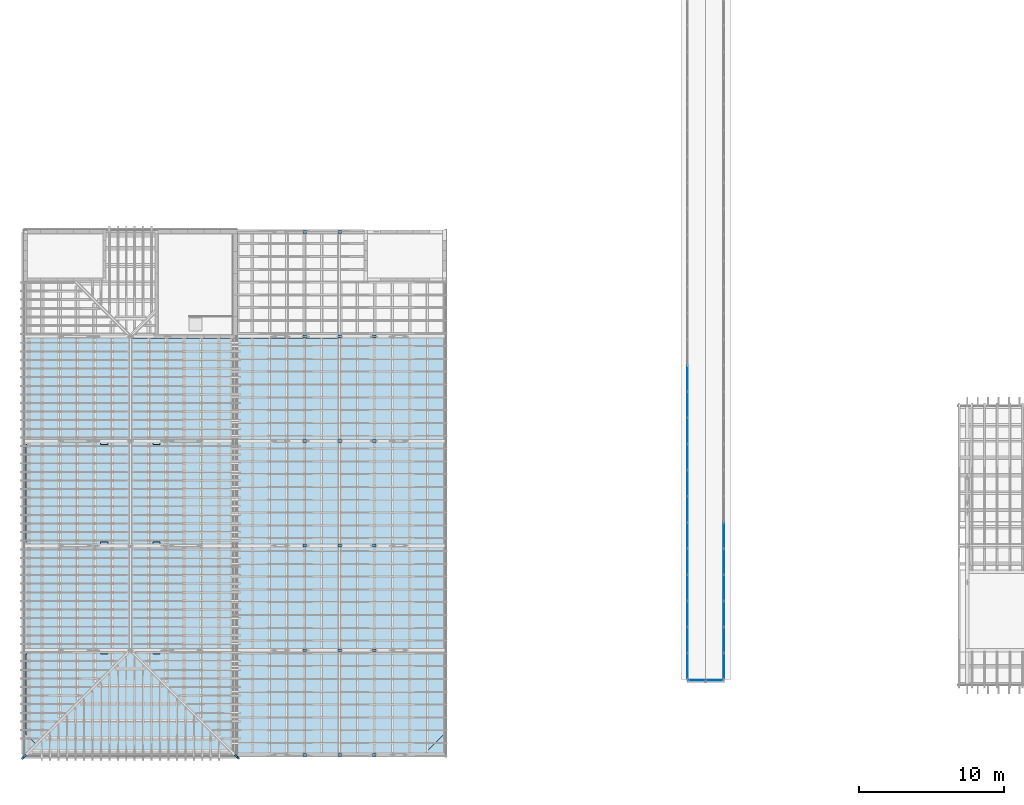
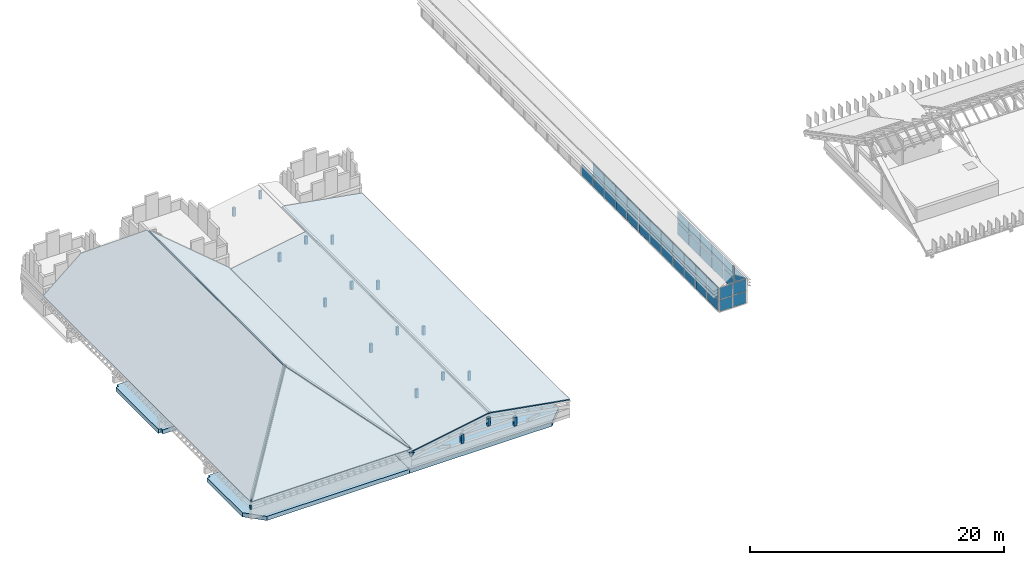
# One storey, part 13 of 28: 39 plates, 19 members, 8 slabs, 3 elements without a shape of their own.
"""IFC4 building model written with IfcOpenShell, lengths in metres."""

import ifcopenshell
import ifcopenshell.guid

model = None  # the IFC model being written
_history = None  # IfcOwnerHistory: only IFC2X3 demands one
_inside = {}  # id of a spatial element -> (the spatial element, [elements in it])
_under = {}  # id of a project, library or spatial element -> (it, [spatial elements below it])
_declared = {}  # id of a project -> (the project, [libraries it declares])
_typed = {}  # id of a type object -> (the type object, [elements of that type])
_made_of = {}  # id of a material, layer set ... -> (it, [elements and type objects made of it])


def new_model(schema):
    """Start an empty IFC model of exactly this schema.

    Asked for "IFC4X3", IfcOpenShell would pick the latest addendum, in which some entities
    have other attributes; the version numbers below select the first issue.
    IFC2X3 requires an IfcOwnerHistory on every rooted entity: one is made here for all.
    """
    global model, _history
    if schema == "IFC4X3":
        model = ifcopenshell.file(schema_version=(4, 3, 0, 0))
    else:
        model = ifcopenshell.file(schema=schema)
    _inside.clear()
    _under.clear()
    _declared.clear()
    _typed.clear()
    _made_of.clear()
    _history = None
    if model.schema == "IFC2X3":
        org = make("IfcOrganization", Name="unknown")
        user = make(
            "IfcPersonAndOrganization",
            ThePerson=make("IfcPerson", FamilyName="unknown"),
            TheOrganization=org,
        )
        app = make(
            "IfcApplication",
            ApplicationDeveloper=org,
            Version="unknown",
            ApplicationFullName="unknown",
            ApplicationIdentifier="unknown",
        )
        _history = make(
            "IfcOwnerHistory",
            OwningUser=user,
            OwningApplication=app,
            ChangeAction="ADDED",
            CreationDate=0,
        )
    return model


def make(cls, **values):
    """One entity of the class cls with the attributes given. An attribute that is None is left unset."""
    return model.create_entity(
        cls, **{name: value for name, value in values.items() if value is not None}
    )


def rooted(cls, **values):
    """An entity with a GlobalId (a new one), such as an element, a storey or a relation."""
    return make(cls, GlobalId=ifcopenshell.guid.new(), OwnerHistory=_history, **values)


def si_unit(unit_type, name, prefix=None):
    """IfcSIUnit, for example si_unit("LENGTHUNIT", "METRE", prefix="MILLI")."""
    return make("IfcSIUnit", UnitType=unit_type, Prefix=prefix, Name=name)


def assignment(units):
    """IfcUnitAssignment: the units of a project."""
    return None if units is None else make("IfcUnitAssignment", Units=units)


def point(xyz):
    """IfcCartesianPoint."""
    return None if xyz is None else make("IfcCartesianPoint", Coordinates=xyz)


def direction(xyz):
    """IfcDirection."""
    return None if xyz is None else make("IfcDirection", DirectionRatios=xyz)


def frame(location, z_axis=None, x_axis=None):
    """IfcAxis2Placement3D, a coordinate frame: its origin and axes. An axis left out is left unset."""
    return make(
        "IfcAxis2Placement3D",
        Location=point(location),
        Axis=direction(z_axis),
        RefDirection=direction(x_axis),
    )


def frame_2d(location, x_axis=None):
    """IfcAxis2Placement2D, a coordinate frame in the plane: its origin and x axis."""
    return make(
        "IfcAxis2Placement2D", Location=point(location), RefDirection=direction(x_axis)
    )


def origin():
    """The frame at (0, 0, 0) with its axes left unset."""
    return frame((0.0, 0.0, 0.0))


def origin_2d():
    """The frame at (0, 0) in the plane with its x axis left unset."""
    return frame_2d((0.0, 0.0))


def place(relative_to, where):
    """IfcLocalPlacement: puts the frame where relative to a parent placement (None: the world)."""
    return make(
        "IfcLocalPlacement", PlacementRelTo=relative_to, RelativePlacement=where
    )


def context(
    kind, dimensions, precision=None, world=None, true_north=None, identifier=None
):
    """IfcGeometricRepresentationContext, for example the 3D "Model" context."""
    return make(
        "IfcGeometricRepresentationContext",
        ContextIdentifier=identifier,
        ContextType=kind,
        CoordinateSpaceDimension=dimensions,
        Precision=precision,
        WorldCoordinateSystem=world,
        TrueNorth=true_north,
    )


def subcontext(parent, identifier, kind, view, scale=None):
    """IfcGeometricRepresentationSubContext, for example "Body" below "Model"."""
    return make(
        "IfcGeometricRepresentationSubContext",
        ContextIdentifier=identifier,
        ContextType=kind,
        ParentContext=parent,
        TargetScale=scale,
        TargetView=view,
    )


def project(units=None, contexts=None):
    """IfcProject with its units and contexts."""
    return rooted(
        "IfcProject",
        Name="project",
        RepresentationContexts=contexts,
        UnitsInContext=assignment(units),
    )


def spatial(cls, under=None, at=None, **own):
    """A site, building, storey or space (cls), placed at a placement, below another one or the project."""
    s = rooted(cls, ObjectPlacement=at, **own)
    if under is not None:
        _under.setdefault(under.id(), (under, []))[1].append(s)
    return s


def polyline(points):
    """IfcPolyline through the points."""
    return make("IfcPolyline", Points=[point(p) for p in points])


def profile(cls, at=None, kind="AREA", **sizes):
    """A parametric profile (cls). Its sizes go by their IFC names, for example OverallWidth=200.0."""
    return make(cls, ProfileType=kind, Position=at, **sizes)


def rectangle(**sizes):
    """IfcRectangleProfileDef."""
    return profile("IfcRectangleProfileDef", **sizes)


def outline(outer, holes=None, kind="AREA"):
    """IfcArbitraryClosedProfileDef: a profile drawn as a closed curve; with holes, ...WithVoids."""
    if holes is None:
        return make("IfcArbitraryClosedProfileDef", ProfileType=kind, OuterCurve=outer)
    return make(
        "IfcArbitraryProfileDefWithVoids",
        ProfileType=kind,
        OuterCurve=outer,
        InnerCurves=holes,
    )


def extrude(swept, where, along, depth):
    """IfcExtrudedAreaSolid: the profile swept, set in the frame where, extruded along a direction by depth."""
    return make(
        "IfcExtrudedAreaSolid",
        SweptArea=swept,
        Position=where,
        ExtrudedDirection=direction(along),
        Depth=depth,
    )


def shape(context_of_items, identifier, shape_type, items):
    """IfcShapeRepresentation: the items that make up one representation, for example the "Body"."""
    return make(
        "IfcShapeRepresentation",
        ContextOfItems=context_of_items,
        RepresentationIdentifier=identifier,
        RepresentationType=shape_type,
        Items=items,
    )


def material(Name=None, Category=None):
    """IfcMaterial."""
    return make("IfcMaterial", Name=Name, Category=Category)


def layer(
    of_material, thickness, ventilated=None, Name=None, Category=None, Priority=None
):
    """IfcMaterialLayer: one layer of a wall or slab, of a material (None: an air gap)."""
    return make(
        "IfcMaterialLayer",
        Material=of_material,
        LayerThickness=thickness,
        IsVentilated=ventilated,
        Name=Name,
        Category=Category,
        Priority=Priority,
    )


def layer_set(layers, Name=None):
    """IfcMaterialLayerSet."""
    return make("IfcMaterialLayerSet", MaterialLayers=layers, LayerSetName=Name)


def material_profile(
    of_material, cross_section, Name=None, Category=None, Priority=None
):
    """IfcMaterialProfile: a cross section and its material."""
    return make(
        "IfcMaterialProfile",
        Name=Name,
        Material=of_material,
        Profile=cross_section,
        Priority=Priority,
        Category=Category,
    )


def profile_set(profiles, Name=None, composite=None):
    """IfcMaterialProfileSet."""
    return make(
        "IfcMaterialProfileSet",
        Name=Name,
        MaterialProfiles=profiles,
        CompositeProfile=composite,
    )


def made_of(thing, what):
    """Note that an element or type object is made of a material, layer set ...; save() writes the relation."""
    if what is not None:
        _made_of.setdefault(what.id(), (what, []))[1].append(thing)
    return thing


def type_object(cls, material=None, **own):
    """A type object (cls), such as IfcWallType, which elements share."""
    return made_of(rooted(cls, **own), material)


def element(
    cls,
    number,
    at=None,
    inside=None,
    cuts=None,
    type_object=None,
    material=None,
    context=None,
    identifier="Body",
    shape_type=None,
    held_by="IfcProductDefinitionShape",
    body=None,
    shapes=None,
    **own,
):
    """One element of the class cls, such as IfcWall. Its Tag is "e" and its number.

    at: its placement. inside: the storey or other place that contains it. cuts: it is an
    opening in that element (IfcRelVoidsElement). A single representation is given by context,
    identifier, shape_type and body (its items); several are given by shapes. held_by: the class
    of the entity that holds the representations. save() writes the other relations.
    """
    e = rooted(cls, Tag="e%d" % number, ObjectPlacement=at, **own)
    if body is not None:
        shapes = [shape(context, identifier, shape_type, body)]
    if shapes is not None:
        e.Representation = make(held_by, Representations=shapes)
    if inside is not None:
        _inside.setdefault(inside.id(), (inside, []))[1].append(e)
    if cuts is not None:
        rooted(
            "IfcRelVoidsElement", RelatingBuildingElement=cuts, RelatedOpeningElement=e
        )
    if type_object is not None:
        _typed.setdefault(type_object.id(), (type_object, []))[1].append(e)
    return made_of(e, material)


def aggregate(whole, parts):
    """IfcRelAggregates: a whole, such as a stair, and the parts it consists of."""
    return rooted("IfcRelAggregates", RelatingObject=whole, RelatedObjects=parts)


def save(model, path):
    """Write the relations noted so far, then the file.

    IfcRelAggregates (storeys below a building ...), IfcRelContainedInSpatialStructure (elements
    in a storey), IfcRelDefinesByType, IfcRelAssociatesMaterial and IfcRelDeclares: one each for
    every whole, place, type object, material and project.
    """
    for whole, parts in _under.values():
        aggregate(whole, parts)
    for where, things in _inside.values():
        rooted(
            "IfcRelContainedInSpatialStructure",
            RelatedElements=things,
            RelatingStructure=where,
        )
    for kind, things in _typed.values():
        rooted("IfcRelDefinesByType", RelatedObjects=things, RelatingType=kind)
    for what, things in _made_of.values():
        rooted("IfcRelAssociatesMaterial", RelatedObjects=things, RelatingMaterial=what)
    for by, libraries in _declared.values():
        rooted("IfcRelDeclares", RelatingContext=by, RelatedDefinitions=libraries)
    model.write(path)


model = new_model("IFC4")

# Units and contexts
model_context = context("Model", 3, precision=1e-05, world=origin(), true_north=direction((0.0, 1.0)))
body_context = subcontext(model_context, "Body", "Model", "MODEL_VIEW")
ifc_project = project(units=[si_unit("LENGTHUNIT", "METRE"), si_unit("AREAUNIT", "SQUARE_METRE"), si_unit("VOLUMEUNIT", "CUBIC_METRE"), si_unit("PLANEANGLEUNIT", "RADIAN"), si_unit("MASSUNIT", "GRAM", prefix="KILO")], contexts=[model_context])

# Site, building, storey
site_placement = place(None, origin())
site = spatial("IfcSite", under=ifc_project, at=site_placement, CompositionType="ELEMENT")
building_placement = place(site_placement, origin())
building = spatial("IfcBuilding", under=site, at=building_placement, Name="Mazhai Court Health Centre", CompositionType="ELEMENT")
storey_placement = place(building_placement, frame((0.0, 0.0, 18.0)))
storey = spatial("IfcBuildingStorey", under=building, at=storey_placement, Name="RF", CompositionType="ELEMENT", Elevation=18.0)

# Members
ifc_material_1 = material(Name="Glulam GL24h", Category="wood")
ifc_material_profile_1 = material_profile(ifc_material_1, rectangle(XDim=0.1201171875, YDim=0.43994140625, at=origin_2d()), Name="GL24h 120x440")
ifc_profile_set_1 = profile_set([ifc_material_profile_1], Name="Glulam GL24h")
member_type_1 = type_object("IfcMemberType", Name="GL24h 120x440 hip rafter", PredefinedType="RAFTER", material=ifc_profile_set_1)
for number, where, z_axis, x_axis, name in (
    (1, (6.000244140625, 6.000244140625, 1.167724609375), (0.607674209115, 0.607674209115, 0.511335614987), (-0.707106781187, 0.707106781187, 0.0), "Hip rafter tail RV2-HR2"),
    (2, (20.7998046875, 6.000244140625, 1.167724609375), (-0.607674209115, 0.607674209115, 0.511335614987), (-0.707106781187, -0.707106781187, 0.0), "Hip rafter tail RV2-HR6"),
):
    element("IfcMember", number, at=place(storey_placement, frame(where, z_axis=z_axis, x_axis=x_axis)), inside=storey, type_object=member_type_1, Name=name, PredefinedType="RAFTER", context=body_context, shape_type="SweptSolid", body=[
        extrude(rectangle(XDim=0.1201171875, YDim=0.43994140625, at=origin_2d()), origin(), (0.0, 0.0, 1.0), 0.19775390625),
    ])
ifc_material_2 = material(Name="Glulam GL28h", Category="wood")
ifc_material_profile_2 = material_profile(ifc_material_2, rectangle(XDim=0.199951171875, YDim=0.239990234375, at=origin_2d()), Name="GL28h 200x240")
ifc_profile_set_2 = profile_set([ifc_material_profile_2], Name="Glulam GL28h")
member_type_2 = type_object("IfcMemberType", Name="GL28h 200x240 post", PredefinedType="POST", material=ifc_profile_set_2)
for number, where, z_axis, x_axis, name in (
    (3, (30.199951171875, 6.199951171875, 0.56005859375), (0.0, 0.0, 1.0), (0.0, 1.0, 0.0), "Post TV5-1-P1"),
    (4, (25.39990234375, 6.199951171875, 0.56005859375), (0.0, 0.0, 1.0), (0.0, 1.0, 0.0), "Post TV5-1-P2"),
):
    element("IfcMember", number, at=place(storey_placement, frame(where, z_axis=z_axis, x_axis=x_axis)), inside=storey, type_object=member_type_2, Name=name, PredefinedType="POST", context=body_context, shape_type="SweptSolid", body=[
        extrude(rectangle(XDim=0.199951171875, YDim=0.239990234375, at=origin_2d()), origin(), (0.0, 0.0, 1.0), 0.84619140625),
    ])
member_1_placement = place(storey_placement, frame((27.800048828125, 6.199951171875, 1.40625), z_axis=(0.0, 0.0, 1.0), x_axis=(0.0, 1.0, 0.0)))
element("IfcMember", 5, at=member_1_placement, inside=storey, type_object=member_type_2, Name="Post TV5-1-P3", PredefinedType="POST", context=body_context, shape_type="SweptSolid", body=[
    extrude(rectangle(XDim=0.199951171875, YDim=0.239990234375, at=origin_2d()), origin(), (0.0, 0.0, 1.0), 0.773193359375),
])
for number, where, z_axis, x_axis, name in (
    (6, (30.199951171875, 13.39990234375, 0.56005859375), (0.0, 0.0, 1.0), (0.0, 1.0, 0.0), "Post TV5-2-P1"),
    (7, (25.39990234375, 13.39990234375, 0.56005859375), (0.0, 0.0, 1.0), (0.0, 1.0, 0.0), "Post TV5-2-P2"),
):
    element("IfcMember", number, at=place(storey_placement, frame(where, z_axis=z_axis, x_axis=x_axis)), inside=storey, type_object=member_type_2, Name=name, PredefinedType="POST", context=body_context, shape_type="SweptSolid", body=[
        extrude(rectangle(XDim=0.199951171875, YDim=0.239990234375, at=origin_2d()), origin(), (0.0, 0.0, 1.0), 0.84619140625),
    ])
member_2_placement = place(storey_placement, frame((27.800048828125, 13.39990234375, 1.40625), z_axis=(0.0, 0.0, 1.0), x_axis=(0.0, 1.0, 0.0)))
element("IfcMember", 8, at=member_2_placement, inside=storey, type_object=member_type_2, Name="Post TV5-2-P3", PredefinedType="POST", context=body_context, shape_type="SweptSolid", body=[
    extrude(rectangle(XDim=0.199951171875, YDim=0.239990234375, at=origin_2d()), origin(), (0.0, 0.0, 1.0), 0.773193359375),
])
for number, where, z_axis, x_axis, name in (
    (9, (30.199951171875, 20.60009765625, 0.56005859375), (0.0, 0.0, 1.0), (0.0, 1.0, 0.0), "Post TV5-3-P1"),
    (10, (25.39990234375, 20.60009765625, 0.56005859375), (0.0, 0.0, 1.0), (0.0, 1.0, 0.0), "Post TV5-3-P2"),
):
    element("IfcMember", number, at=place(storey_placement, frame(where, z_axis=z_axis, x_axis=x_axis)), inside=storey, type_object=member_type_2, Name=name, PredefinedType="POST", context=body_context, shape_type="SweptSolid", body=[
        extrude(rectangle(XDim=0.199951171875, YDim=0.239990234375, at=origin_2d()), origin(), (0.0, 0.0, 1.0), 0.84619140625),
    ])
member_3_placement = place(storey_placement, frame((27.800048828125, 20.60009765625, 1.40625), z_axis=(0.0, 0.0, 1.0), x_axis=(0.0, 1.0, 0.0)))
element("IfcMember", 11, at=member_3_placement, inside=storey, type_object=member_type_2, Name="Post TV5-3-P3", PredefinedType="POST", context=body_context, shape_type="SweptSolid", body=[
    extrude(rectangle(XDim=0.199951171875, YDim=0.239990234375, at=origin_2d()), origin(), (0.0, 0.0, 1.0), 0.773193359375),
])
for number, where, z_axis, x_axis, name in (
    (12, (30.199951171875, 27.800048828125, 0.56005859375), (0.0, 0.0, 1.0), (0.0, 1.0, 0.0), "Post TV5-4-P1"),
    (13, (25.39990234375, 27.800048828125, 0.56005859375), (0.0, 0.0, 1.0), (0.0, 1.0, 0.0), "Post TV5-4-P2"),
):
    element("IfcMember", number, at=place(storey_placement, frame(where, z_axis=z_axis, x_axis=x_axis)), inside=storey, type_object=member_type_2, Name=name, PredefinedType="POST", context=body_context, shape_type="SweptSolid", body=[
        extrude(rectangle(XDim=0.199951171875, YDim=0.239990234375, at=origin_2d()), origin(), (0.0, 0.0, 1.0), 0.84619140625),
    ])
member_4_placement = place(storey_placement, frame((27.800048828125, 27.800048828125, 1.40625), z_axis=(0.0, 0.0, 1.0), x_axis=(0.0, 1.0, 0.0)))
element("IfcMember", 14, at=member_4_placement, inside=storey, type_object=member_type_2, Name="Post TV5-4-P3", PredefinedType="POST", context=body_context, shape_type="SweptSolid", body=[
    extrude(rectangle(XDim=0.199951171875, YDim=0.239990234375, at=origin_2d()), origin(), (0.0, 0.0, 1.0), 0.773193359375),
])
for number, where, z_axis, x_axis, name in (
    (15, (30.199951171875, 35.0, 0.56005859375), (0.0, 0.0, 1.0), (0.0, 1.0, 0.0), "Post TV5-5-P1"),
    (16, (25.39990234375, 35.0, 0.56005859375), (0.0, 0.0, 1.0), (0.0, 1.0, 0.0), "Post TV5-5-P2"),
):
    element("IfcMember", number, at=place(storey_placement, frame(where, z_axis=z_axis, x_axis=x_axis)), inside=storey, type_object=member_type_2, Name=name, PredefinedType="POST", context=body_context, shape_type="SweptSolid", body=[
        extrude(rectangle(XDim=0.199951171875, YDim=0.239990234375, at=origin_2d()), origin(), (0.0, 0.0, 1.0), 0.84619140625),
    ])
member_5_placement = place(storey_placement, frame((27.800048828125, 35.0, 1.40625), z_axis=(0.0, 0.0, 1.0), x_axis=(0.0, 1.0, 0.0)))
element("IfcMember", 17, at=member_5_placement, inside=storey, type_object=member_type_2, Name="Post TV5-5-P3", PredefinedType="POST", context=body_context, shape_type="SweptSolid", body=[
    extrude(rectangle(XDim=0.199951171875, YDim=0.239990234375, at=origin_2d()), origin(), (0.0, 0.0, 1.0), 0.773193359375),
])
member_6_placement = place(storey_placement, frame((25.39990234375, 42.199951171875, 0.56005859375), z_axis=(0.0, 0.0, 1.0), x_axis=(0.0, 1.0, 0.0)))
element("IfcMember", 18, at=member_6_placement, inside=storey, type_object=member_type_2, Name="Post TV5-6-P2", PredefinedType="POST", context=body_context, shape_type="SweptSolid", body=[
    extrude(rectangle(XDim=0.199951171875, YDim=0.239990234375, at=origin_2d()), origin(), (0.0, 0.0, 1.0), 0.84619140625),
])
member_7_placement = place(storey_placement, frame((27.800048828125, 42.199951171875, 1.40625), z_axis=(0.0, 0.0, 1.0), x_axis=(0.0, 1.0, 0.0)))
element("IfcMember", 19, at=member_7_placement, inside=storey, type_object=member_type_2, Name="Post TV5-6-P3", PredefinedType="POST", context=body_context, shape_type="SweptSolid", body=[
    extrude(rectangle(XDim=0.199951171875, YDim=0.239990234375, at=origin_2d()), origin(), (0.0, 0.0, 1.0), 0.773193359375),
])

# Slabs
ifc_material_3 = material(Name="CLT C24 3-ply", Category="wood")
ifc_layer_1 = layer(ifc_material_3, 0.10009765625)
ifc_layer_set_1 = layer_set([ifc_layer_1], Name="CLT C24 3-ply roof panel 100")
slab_type_1 = type_object("IfcSlabType", Name="CLT C24 3-ply roof panel 100", PredefinedType="ROOF", material=ifc_layer_set_1)
slab_1_placement = place(storey_placement, frame((20.655517578125, 6.080078125, 1.685302734375), z_axis=(0.0, -0.644967634467, 0.764209886412), x_axis=(-0.60721430236, 0.607193870505, 0.512451358306)))
element("IfcSlab", 20, at=slab_1_placement, inside=storey, type_object=slab_type_1, Name="Roof slab RV2-RS3", PredefinedType="ROOF", context=body_context, shape_type="SweptSolid", body=[
    extrude(outline(polyline([(0.0, 0.0), (11.949018997363401, 0.0), (8.8112784397935, 11.529531494014009), (0.0, 0.0)])), origin(), (0.0, 0.0, -1.0), 0.10009765625),
])
slab_2_placement = place(storey_placement, frame((20.719970703125, 6.14453125, 1.685302734375), z_axis=(0.644967634467, 0.0, 0.764209886412), x_axis=(-0.607201403678, 0.607201403678, 0.512457716053)))
element("IfcSlab", 21, at=slab_2_placement, inside=storey, type_object=slab_type_1, Name="Roof slab RV2-RS2", PredefinedType="ROOF", context=body_context, shape_type="SweptSolid", body=[
    extrude(outline(polyline([(0.0, 0.0), (11.948870753258653, 4.440892098500626e-16), (24.98858019426359, -17.062994961015516), (17.445180953337363, -22.82773523808356), (0.0, 0.0)])), origin(), (0.0, 0.0, -1.0), 0.10009765625),
])
slab_3_placement = place(storey_placement, frame((27.78271484375, 6.080078125, 2.720947265625), z_axis=(-0.173638833211, 0.0, 0.984809400646), x_axis=(-0.984809400646, 0.0, -0.173638833211)))
element("IfcSlab", 22, at=slab_3_placement, inside=storey, type_object=slab_type_1, Name="Roof slab RV5-RS1", PredefinedType="ROOF", context=body_context, shape_type="SweptSolid", body=[
    extrude(outline(polyline([(0.0, 0.0), (7.4153784175986015, 0.0), (7.4153784175986015, -28.794921875), (0.0, -28.794921875), (0.0, 0.0)])), origin(), (0.0, 0.0, -1.0), 0.10009765625),
])
slab_4_placement = place(storey_placement, frame((13.33544921875, 35.0, 7.80859375), z_axis=(-0.644967576369, 1.89437e-07, 0.764209935445), x_axis=(-1.22181e-07, -1.0, 1.4477e-07)))
element("IfcSlab", 23, at=slab_4_placement, inside=storey, type_object=slab_type_1, Name="Roof slab RV2-RS1", PredefinedType="ROOF", context=body_context, shape_type="SweptSolid", body=[
    extrude(outline(polyline([(0.0, 0.0), (21.600097656249613, -2.858749121680335e-22), (28.855468749999346, -9.49395084093321), (-3.810058593750069, -9.49395084093321), (-3.810058593752016, -4.985627002175099), (0.0, 0.0)])), origin(), (0.0, 0.0, -1.0), 0.10009765625),
])
slab_5_placement = place(storey_placement, frame((35.1201171875, 6.080078125, 1.433349609375), z_axis=(0.173638833211, 0.0, 0.984809400646), x_axis=(-0.984809400646, 0.0, 0.173638833211)))
element("IfcSlab", 24, at=slab_5_placement, inside=storey, type_object=slab_type_1, Name="Roof slab RV5-RS2", PredefinedType="ROOF", context=body_context, shape_type="SweptSolid", body=[
    extrude(outline(polyline([(0.0, 0.0), (7.4153784175986015, 0.0), (7.4153784175986015, -32.72998046875), (0.0, -32.72998046875), (0.0, 0.0)])), origin(), (0.0, 0.0, -1.0), 0.10009765625),
])

# Curtain wall, plates
ifc_material_4 = material(Name="Teak timber frame, glazed", Category="wood")
ifc_layer_2 = layer(ifc_material_4, 0.10009765625)
ifc_layer_set_2 = layer_set([ifc_layer_2], Name="CURTAIN WALL TIMBER 1800")
curtain_wall_type_1 = type_object("IfcCurtainWallType", Name="CURTAIN WALL TIMBER 1800", PredefinedType="NOTDEFINED", material=ifc_layer_set_2)
curtain_wall_1_placement = place(storey_placement, origin())
curtain_wall_1 = element("IfcCurtainWall", 25, at=curtain_wall_1_placement, inside=storey, type_object=curtain_wall_type_1, Name="CW-V1-LSW", PredefinedType="NOTDEFINED")
ifc_material_5 = material(Name="Glass IGU 28 mm", Category="glass")
ifc_layer_3 = layer(ifc_material_5, 0.028076171875)
ifc_layer_set_3 = layer_set([ifc_layer_3], Name="CW PANEL IGU 28")
plate_type = type_object("IfcPlateType", Name="CW PANEL IGU 28", PredefinedType="CURTAIN_PANEL", material=ifc_layer_set_3)
plate_1_placement = place(storey_placement, frame((51.75, 12.31494140625, 0.84375), z_axis=(0.0, 0.0, 1.0), x_axis=(0.0, 1.0, 0.0)))
plate_1 = element("IfcPlate", 26, at=plate_1_placement, type_object=plate_type, Name="CW panel 1.1", PredefinedType="CURTAIN_PANEL", context=body_context, shape_type="SweptSolid", body=[
    extrude(rectangle(XDim=1.7099609375, YDim=0.028076171875, at=origin_2d()), origin(), (0.0, 0.0, 1.0), 1.110107421875),
])
plate_2_placement = place(storey_placement, frame((51.75, 12.31494140625, 2.013916015625), z_axis=(0.0, 0.0, 1.0), x_axis=(0.0, 1.0, 0.0)))
plate_2 = element("IfcPlate", 27, at=plate_2_placement, type_object=plate_type, Name="CW panel 1.2", PredefinedType="CURTAIN_PANEL", context=body_context, shape_type="SweptSolid", body=[
    extrude(rectangle(XDim=1.7099609375, YDim=0.028076171875, at=origin_2d()), origin(), (0.0, 0.0, 1.0), 1.10498046875),
])
plate_3_placement = place(storey_placement, frame((51.75, 14.10009765625, 0.84375), z_axis=(0.0, 0.0, 1.0), x_axis=(0.0, 1.0, 0.0)))
plate_3 = element("IfcPlate", 28, at=plate_3_placement, type_object=plate_type, Name="CW panel 2.1", PredefinedType="CURTAIN_PANEL", context=body_context, shape_type="SweptSolid", body=[
    extrude(rectangle(XDim=1.739990234375, YDim=0.028076171875, at=origin_2d()), origin(), (0.0, 0.0, 1.0), 1.110107421875),
])
plate_4_placement = place(storey_placement, frame((51.75, 14.10009765625, 2.013916015625), z_axis=(0.0, 0.0, 1.0), x_axis=(0.0, 1.0, 0.0)))
plate_4 = element("IfcPlate", 29, at=plate_4_placement, type_object=plate_type, Name="CW panel 2.2", PredefinedType="CURTAIN_PANEL", context=body_context, shape_type="SweptSolid", body=[
    extrude(rectangle(XDim=1.739990234375, YDim=0.028076171875, at=origin_2d()), origin(), (0.0, 0.0, 1.0), 1.10498046875),
])
plate_5_placement = place(storey_placement, frame((51.75, 15.89990234375, 0.84375), z_axis=(0.0, 0.0, 1.0), x_axis=(0.0, 1.0, 0.0)))
plate_5 = element("IfcPlate", 30, at=plate_5_placement, type_object=plate_type, Name="CW panel 3.1", PredefinedType="CURTAIN_PANEL", context=body_context, shape_type="SweptSolid", body=[
    extrude(rectangle(XDim=1.739990234375, YDim=0.028076171875, at=origin_2d()), origin(), (0.0, 0.0, 1.0), 1.110107421875),
])
plate_6_placement = place(storey_placement, frame((51.75, 15.89990234375, 2.013916015625), z_axis=(0.0, 0.0, 1.0), x_axis=(0.0, 1.0, 0.0)))
plate_6 = element("IfcPlate", 31, at=plate_6_placement, type_object=plate_type, Name="CW panel 3.2", PredefinedType="CURTAIN_PANEL", context=body_context, shape_type="SweptSolid", body=[
    extrude(rectangle(XDim=1.739990234375, YDim=0.028076171875, at=origin_2d()), origin(), (0.0, 0.0, 1.0), 1.10498046875),
])
plate_7_placement = place(storey_placement, frame((51.75, 17.699951171875, 0.84375), z_axis=(0.0, 0.0, 1.0), x_axis=(0.0, 1.0, 0.0)))
plate_7 = element("IfcPlate", 32, at=plate_7_placement, type_object=plate_type, Name="CW panel 4.1", PredefinedType="CURTAIN_PANEL", context=body_context, shape_type="SweptSolid", body=[
    extrude(rectangle(XDim=1.739990234375, YDim=0.028076171875, at=origin_2d()), origin(), (0.0, 0.0, 1.0), 1.110107421875),
])
plate_8_placement = place(storey_placement, frame((51.75, 17.699951171875, 2.013916015625), z_axis=(0.0, 0.0, 1.0), x_axis=(0.0, 1.0, 0.0)))
plate_8 = element("IfcPlate", 33, at=plate_8_placement, type_object=plate_type, Name="CW panel 4.2", PredefinedType="CURTAIN_PANEL", context=body_context, shape_type="SweptSolid", body=[
    extrude(rectangle(XDim=1.739990234375, YDim=0.028076171875, at=origin_2d()), origin(), (0.0, 0.0, 1.0), 1.10498046875),
])
plate_9_placement = place(storey_placement, frame((51.75, 19.5, 0.84375), z_axis=(0.0, 0.0, 1.0), x_axis=(0.0, 1.0, 0.0)))
plate_9 = element("IfcPlate", 34, at=plate_9_placement, type_object=plate_type, Name="CW panel 5.1", PredefinedType="CURTAIN_PANEL", context=body_context, shape_type="SweptSolid", body=[
    extrude(rectangle(XDim=1.739990234375, YDim=0.028076171875, at=origin_2d()), origin(), (0.0, 0.0, 1.0), 1.110107421875),
])
plate_10_placement = place(storey_placement, frame((51.75, 19.5, 2.013916015625), z_axis=(0.0, 0.0, 1.0), x_axis=(0.0, 1.0, 0.0)))
plate_10 = element("IfcPlate", 35, at=plate_10_placement, type_object=plate_type, Name="CW panel 5.2", PredefinedType="CURTAIN_PANEL", context=body_context, shape_type="SweptSolid", body=[
    extrude(rectangle(XDim=1.739990234375, YDim=0.028076171875, at=origin_2d()), origin(), (0.0, 0.0, 1.0), 1.10498046875),
])
plate_11_placement = place(storey_placement, frame((51.75, 21.300048828125, 0.84375), z_axis=(0.0, 0.0, 1.0), x_axis=(0.0, 1.0, 0.0)))
plate_11 = element("IfcPlate", 36, at=plate_11_placement, type_object=plate_type, Name="CW panel 6.1", PredefinedType="CURTAIN_PANEL", context=body_context, shape_type="SweptSolid", body=[
    extrude(rectangle(XDim=1.739990234375, YDim=0.028076171875, at=origin_2d()), origin(), (0.0, 0.0, 1.0), 1.110107421875),
])
plate_12_placement = place(storey_placement, frame((51.75, 21.300048828125, 2.013916015625), z_axis=(0.0, 0.0, 1.0), x_axis=(0.0, 1.0, 0.0)))
plate_12 = element("IfcPlate", 37, at=plate_12_placement, type_object=plate_type, Name="CW panel 6.2", PredefinedType="CURTAIN_PANEL", context=body_context, shape_type="SweptSolid", body=[
    extrude(rectangle(XDim=1.739990234375, YDim=0.028076171875, at=origin_2d()), origin(), (0.0, 0.0, 1.0), 1.10498046875),
])
plate_13_placement = place(storey_placement, frame((51.75, 23.10009765625, 0.84375), z_axis=(0.0, 0.0, 1.0), x_axis=(0.0, 1.0, 0.0)))
plate_13 = element("IfcPlate", 38, at=plate_13_placement, type_object=plate_type, Name="CW panel 7.1", PredefinedType="CURTAIN_PANEL", context=body_context, shape_type="SweptSolid", body=[
    extrude(rectangle(XDim=1.739990234375, YDim=0.028076171875, at=origin_2d()), origin(), (0.0, 0.0, 1.0), 1.110107421875),
])
plate_14_placement = place(storey_placement, frame((51.75, 23.10009765625, 2.013916015625), z_axis=(0.0, 0.0, 1.0), x_axis=(0.0, 1.0, 0.0)))
plate_14 = element("IfcPlate", 39, at=plate_14_placement, type_object=plate_type, Name="CW panel 7.2", PredefinedType="CURTAIN_PANEL", context=body_context, shape_type="SweptSolid", body=[
    extrude(rectangle(XDim=1.739990234375, YDim=0.028076171875, at=origin_2d()), origin(), (0.0, 0.0, 1.0), 1.10498046875),
])
plate_15_placement = place(storey_placement, frame((51.75, 24.89990234375, 0.84375), z_axis=(0.0, 0.0, 1.0), x_axis=(0.0, 1.0, 0.0)))
plate_15 = element("IfcPlate", 40, at=plate_15_placement, type_object=plate_type, Name="CW panel 8.1", PredefinedType="CURTAIN_PANEL", context=body_context, shape_type="SweptSolid", body=[
    extrude(rectangle(XDim=1.739990234375, YDim=0.028076171875, at=origin_2d()), origin(), (0.0, 0.0, 1.0), 1.110107421875),
])
plate_16_placement = place(storey_placement, frame((51.75, 24.89990234375, 2.013916015625), z_axis=(0.0, 0.0, 1.0), x_axis=(0.0, 1.0, 0.0)))
plate_16 = element("IfcPlate", 41, at=plate_16_placement, type_object=plate_type, Name="CW panel 8.2", PredefinedType="CURTAIN_PANEL", context=body_context, shape_type="SweptSolid", body=[
    extrude(rectangle(XDim=1.739990234375, YDim=0.028076171875, at=origin_2d()), origin(), (0.0, 0.0, 1.0), 1.10498046875),
])
plate_17_placement = place(storey_placement, frame((51.75, 26.699951171875, 0.84375), z_axis=(0.0, 0.0, 1.0), x_axis=(0.0, 1.0, 0.0)))
plate_17 = element("IfcPlate", 42, at=plate_17_placement, type_object=plate_type, Name="CW panel 9.1", PredefinedType="CURTAIN_PANEL", context=body_context, shape_type="SweptSolid", body=[
    extrude(rectangle(XDim=1.739990234375, YDim=0.028076171875, at=origin_2d()), origin(), (0.0, 0.0, 1.0), 1.110107421875),
])
plate_18_placement = place(storey_placement, frame((51.75, 26.699951171875, 2.013916015625), z_axis=(0.0, 0.0, 1.0), x_axis=(0.0, 1.0, 0.0)))
plate_18 = element("IfcPlate", 43, at=plate_18_placement, type_object=plate_type, Name="CW panel 9.2", PredefinedType="CURTAIN_PANEL", context=body_context, shape_type="SweptSolid", body=[
    extrude(rectangle(XDim=1.739990234375, YDim=0.028076171875, at=origin_2d()), origin(), (0.0, 0.0, 1.0), 1.10498046875),
])
plate_19_placement = place(storey_placement, frame((51.75, 28.5, 0.84375), z_axis=(0.0, 0.0, 1.0), x_axis=(0.0, 1.0, 0.0)))
plate_19 = element("IfcPlate", 44, at=plate_19_placement, type_object=plate_type, Name="CW panel 10.1", PredefinedType="CURTAIN_PANEL", context=body_context, shape_type="SweptSolid", body=[
    extrude(rectangle(XDim=1.739990234375, YDim=0.028076171875, at=origin_2d()), origin(), (0.0, 0.0, 1.0), 1.110107421875),
])
plate_20_placement = place(storey_placement, frame((51.75, 28.5, 2.013916015625), z_axis=(0.0, 0.0, 1.0), x_axis=(0.0, 1.0, 0.0)))
plate_20 = element("IfcPlate", 45, at=plate_20_placement, type_object=plate_type, Name="CW panel 10.2", PredefinedType="CURTAIN_PANEL", context=body_context, shape_type="SweptSolid", body=[
    extrude(rectangle(XDim=1.739990234375, YDim=0.028076171875, at=origin_2d()), origin(), (0.0, 0.0, 1.0), 1.10498046875),
])
plate_21_placement = place(storey_placement, frame((51.75, 30.300048828125, 0.84375), z_axis=(0.0, 0.0, 1.0), x_axis=(0.0, 1.0, 0.0)))
plate_21 = element("IfcPlate", 46, at=plate_21_placement, type_object=plate_type, Name="CW panel 11.1", PredefinedType="CURTAIN_PANEL", context=body_context, shape_type="SweptSolid", body=[
    extrude(rectangle(XDim=1.739990234375, YDim=0.028076171875, at=origin_2d()), origin(), (0.0, 0.0, 1.0), 1.110107421875),
])
plate_22_placement = place(storey_placement, frame((51.75, 30.300048828125, 2.013916015625), z_axis=(0.0, 0.0, 1.0), x_axis=(0.0, 1.0, 0.0)))
plate_22 = element("IfcPlate", 47, at=plate_22_placement, type_object=plate_type, Name="CW panel 11.2", PredefinedType="CURTAIN_PANEL", context=body_context, shape_type="SweptSolid", body=[
    extrude(rectangle(XDim=1.739990234375, YDim=0.028076171875, at=origin_2d()), origin(), (0.0, 0.0, 1.0), 1.10498046875),
])
plate_23_placement = place(storey_placement, frame((51.75, 32.10009765625, 0.84375), z_axis=(0.0, 0.0, 1.0), x_axis=(0.0, 1.0, 0.0)))
plate_23 = element("IfcPlate", 48, at=plate_23_placement, type_object=plate_type, Name="CW panel 12.1", PredefinedType="CURTAIN_PANEL", context=body_context, shape_type="SweptSolid", body=[
    extrude(rectangle(XDim=1.739990234375, YDim=0.028076171875, at=origin_2d()), origin(), (0.0, 0.0, 1.0), 1.110107421875),
])
aggregate(curtain_wall_1, [plate_1, plate_2, plate_3, plate_4, plate_5, plate_6, plate_7, plate_8, plate_9, plate_10, plate_11, plate_12, plate_13, plate_14, plate_15, plate_16, plate_17, plate_18, plate_19, plate_20, plate_21, plate_22, plate_23])

curtain_wall_2_placement = place(storey_placement, origin())
curtain_wall_2 = element("IfcCurtainWall", 49, at=curtain_wall_2_placement, inside=storey, type_object=curtain_wall_type_1, Name="CW-V1-LSE", PredefinedType="NOTDEFINED")
plate_24_placement = place(storey_placement, frame((54.25, 21.300048828125, 0.84375), z_axis=(0.0, 0.0, 1.0), x_axis=(0.0, -1.0, 0.0)))
plate_24 = element("IfcPlate", 50, at=plate_24_placement, type_object=plate_type, Name="CW panel 21.1", PredefinedType="CURTAIN_PANEL", context=body_context, shape_type="SweptSolid", body=[
    extrude(rectangle(XDim=1.739990234375, YDim=0.028076171875, at=origin_2d()), origin(), (0.0, 0.0, 1.0), 1.110107421875),
])
plate_25_placement = place(storey_placement, frame((54.25, 21.300048828125, 2.013916015625), z_axis=(0.0, 0.0, 1.0), x_axis=(0.0, -1.0, 0.0)))
plate_25 = element("IfcPlate", 51, at=plate_25_placement, type_object=plate_type, Name="CW panel 21.2", PredefinedType="CURTAIN_PANEL", context=body_context, shape_type="SweptSolid", body=[
    extrude(rectangle(XDim=1.739990234375, YDim=0.028076171875, at=origin_2d()), origin(), (0.0, 0.0, 1.0), 1.10498046875),
])
plate_26_placement = place(storey_placement, frame((54.25, 19.5, 0.84375), z_axis=(0.0, 0.0, 1.0), x_axis=(0.0, -1.0, 0.0)))
plate_26 = element("IfcPlate", 52, at=plate_26_placement, type_object=plate_type, Name="CW panel 22.1", PredefinedType="CURTAIN_PANEL", context=body_context, shape_type="SweptSolid", body=[
    extrude(rectangle(XDim=1.739990234375, YDim=0.028076171875, at=origin_2d()), origin(), (0.0, 0.0, 1.0), 1.110107421875),
])
plate_27_placement = place(storey_placement, frame((54.25, 19.5, 2.013916015625), z_axis=(0.0, 0.0, 1.0), x_axis=(0.0, -1.0, 0.0)))
plate_27 = element("IfcPlate", 53, at=plate_27_placement, type_object=plate_type, Name="CW panel 22.2", PredefinedType="CURTAIN_PANEL", context=body_context, shape_type="SweptSolid", body=[
    extrude(rectangle(XDim=1.739990234375, YDim=0.028076171875, at=origin_2d()), origin(), (0.0, 0.0, 1.0), 1.10498046875),
])
plate_28_placement = place(storey_placement, frame((54.25, 17.699951171875, 0.84375), z_axis=(0.0, 0.0, 1.0), x_axis=(0.0, -1.0, 0.0)))
plate_28 = element("IfcPlate", 54, at=plate_28_placement, type_object=plate_type, Name="CW panel 23.1", PredefinedType="CURTAIN_PANEL", context=body_context, shape_type="SweptSolid", body=[
    extrude(rectangle(XDim=1.739990234375, YDim=0.028076171875, at=origin_2d()), origin(), (0.0, 0.0, 1.0), 1.110107421875),
])
plate_29_placement = place(storey_placement, frame((54.25, 17.699951171875, 2.013916015625), z_axis=(0.0, 0.0, 1.0), x_axis=(0.0, -1.0, 0.0)))
plate_29 = element("IfcPlate", 55, at=plate_29_placement, type_object=plate_type, Name="CW panel 23.2", PredefinedType="CURTAIN_PANEL", context=body_context, shape_type="SweptSolid", body=[
    extrude(rectangle(XDim=1.739990234375, YDim=0.028076171875, at=origin_2d()), origin(), (0.0, 0.0, 1.0), 1.10498046875),
])
plate_30_placement = place(storey_placement, frame((54.25, 15.89990234375, 0.84375), z_axis=(0.0, 0.0, 1.0), x_axis=(0.0, -1.0, 0.0)))
plate_30 = element("IfcPlate", 56, at=plate_30_placement, type_object=plate_type, Name="CW panel 24.1", PredefinedType="CURTAIN_PANEL", context=body_context, shape_type="SweptSolid", body=[
    extrude(rectangle(XDim=1.739990234375, YDim=0.028076171875, at=origin_2d()), origin(), (0.0, 0.0, 1.0), 1.110107421875),
])
plate_31_placement = place(storey_placement, frame((54.25, 15.89990234375, 2.013916015625), z_axis=(0.0, 0.0, 1.0), x_axis=(0.0, -1.0, 0.0)))
plate_31 = element("IfcPlate", 57, at=plate_31_placement, type_object=plate_type, Name="CW panel 24.2", PredefinedType="CURTAIN_PANEL", context=body_context, shape_type="SweptSolid", body=[
    extrude(rectangle(XDim=1.739990234375, YDim=0.028076171875, at=origin_2d()), origin(), (0.0, 0.0, 1.0), 1.10498046875),
])
plate_32_placement = place(storey_placement, frame((54.25, 14.10009765625, 0.84375), z_axis=(0.0, 0.0, 1.0), x_axis=(0.0, -1.0, 0.0)))
plate_32 = element("IfcPlate", 58, at=plate_32_placement, type_object=plate_type, Name="CW panel 25.1", PredefinedType="CURTAIN_PANEL", context=body_context, shape_type="SweptSolid", body=[
    extrude(rectangle(XDim=1.739990234375, YDim=0.028076171875, at=origin_2d()), origin(), (0.0, 0.0, 1.0), 1.110107421875),
])
plate_33_placement = place(storey_placement, frame((54.25, 14.10009765625, 2.013916015625), z_axis=(0.0, 0.0, 1.0), x_axis=(0.0, -1.0, 0.0)))
plate_33 = element("IfcPlate", 59, at=plate_33_placement, type_object=plate_type, Name="CW panel 25.2", PredefinedType="CURTAIN_PANEL", context=body_context, shape_type="SweptSolid", body=[
    extrude(rectangle(XDim=1.739990234375, YDim=0.028076171875, at=origin_2d()), origin(), (0.0, 0.0, 1.0), 1.10498046875),
])
plate_34_placement = place(storey_placement, frame((54.25, 12.31494140625, 0.84375), z_axis=(0.0, 0.0, 1.0), x_axis=(0.0, -1.0, 0.0)))
plate_34 = element("IfcPlate", 60, at=plate_34_placement, type_object=plate_type, Name="CW panel 26.1", PredefinedType="CURTAIN_PANEL", context=body_context, shape_type="SweptSolid", body=[
    extrude(rectangle(XDim=1.7099609375, YDim=0.028076171875, at=origin_2d()), origin(), (0.0, 0.0, 1.0), 1.110107421875),
])
plate_35_placement = place(storey_placement, frame((54.25, 12.31494140625, 2.013916015625), z_axis=(0.0, 0.0, 1.0), x_axis=(0.0, -1.0, 0.0)))
plate_35 = element("IfcPlate", 61, at=plate_35_placement, type_object=plate_type, Name="CW panel 26.2", PredefinedType="CURTAIN_PANEL", context=body_context, shape_type="SweptSolid", body=[
    extrude(rectangle(XDim=1.7099609375, YDim=0.028076171875, at=origin_2d()), origin(), (0.0, 0.0, 1.0), 1.10498046875),
])
aggregate(curtain_wall_2, [plate_24, plate_25, plate_26, plate_27, plate_28, plate_29, plate_30, plate_31, plate_32, plate_33, plate_34, plate_35])

ifc_material_6 = material(Name="Teak timber frame, glazed", Category="wood")
ifc_layer_4 = layer(ifc_material_6, 0.10009765625)
ifc_layer_set_4 = layer_set([ifc_layer_4], Name="CURTAIN WALL TIMBER 1200")
curtain_wall_type_2 = type_object("IfcCurtainWallType", Name="CURTAIN WALL TIMBER 1200", PredefinedType="NOTDEFINED", material=ifc_layer_set_4)
curtain_wall_3_placement = place(storey_placement, origin())
curtain_wall_3 = element("IfcCurtainWall", 62, at=curtain_wall_3_placement, inside=storey, type_object=curtain_wall_type_2, Name="CW-V1-LCS", PredefinedType="NOTDEFINED")
plate_36_placement = place(storey_placement, frame((53.610107421875, 11.324951171875, 0.84375), z_axis=(0.0, 0.0, 1.0), x_axis=(-1.0, 0.0, 0.0)))
plate_36 = element("IfcPlate", 63, at=plate_36_placement, type_object=plate_type, Name="CW panel 1.1", PredefinedType="CURTAIN_PANEL", context=body_context, shape_type="SweptSolid", body=[
    extrude(rectangle(XDim=1.159912109375, YDim=0.028076171875, at=origin_2d()), origin(), (0.0, 0.0, 1.0), 1.110107421875),
])
plate_37_placement = place(storey_placement, frame((53.610107421875, 11.324951171875, 2.013916015625), z_axis=(0.0, 0.0, 1.0), x_axis=(-1.0, 0.0, 0.0)))
plate_37 = element("IfcPlate", 64, at=plate_37_placement, type_object=plate_type, Name="CW panel 1.2", PredefinedType="CURTAIN_PANEL", context=body_context, shape_type="SweptSolid", body=[
    extrude(rectangle(XDim=1.159912109375, YDim=0.028076171875, at=origin_2d()), origin(), (0.0, 0.0, 1.0), 1.10498046875),
])
plate_38_placement = place(storey_placement, frame((52.389892578125, 11.324951171875, 0.84375), z_axis=(0.0, 0.0, 1.0), x_axis=(-1.0, 0.0, 0.0)))
plate_38 = element("IfcPlate", 65, at=plate_38_placement, type_object=plate_type, Name="CW panel 2.1", PredefinedType="CURTAIN_PANEL", context=body_context, shape_type="SweptSolid", body=[
    extrude(rectangle(XDim=1.159912109375, YDim=0.028076171875, at=origin_2d()), origin(), (0.0, 0.0, 1.0), 1.110107421875),
])
plate_39_placement = place(storey_placement, frame((52.389892578125, 11.324951171875, 2.013916015625), z_axis=(0.0, 0.0, 1.0), x_axis=(-1.0, 0.0, 0.0)))
plate_39 = element("IfcPlate", 66, at=plate_39_placement, type_object=plate_type, Name="CW panel 2.2", PredefinedType="CURTAIN_PANEL", context=body_context, shape_type="SweptSolid", body=[
    extrude(rectangle(XDim=1.159912109375, YDim=0.028076171875, at=origin_2d()), origin(), (0.0, 0.0, 1.0), 1.10498046875),
])
aggregate(curtain_wall_3, [plate_36, plate_37, plate_38, plate_39])

# Slabs
ifc_material_7 = material(Name="Concrete M40", Category="concrete")
ifc_layer_5 = layer(ifc_material_7, 0.39990234375)
ifc_layer_set_5 = layer_set([ifc_layer_5], Name="RC CORE ROOF 400 M40")
slab_type_2 = type_object("IfcSlabType", Name="RC CORE ROOF 400 M40", PredefinedType="ROOF", material=ifc_layer_set_5)
slab_6_placement = place(storey_placement, frame((0.0, 0.0, -0.7001953125)))
element("IfcSlab", 67, at=slab_6_placement, inside=storey, type_object=slab_type_2, Name="core-C1-roof", PredefinedType="ROOF", context=body_context, shape_type="SweptSolid", body=[
    extrude(outline(polyline([(6.449951171875, 13.14990234375), (6.449951171875, 13.39990234375), (11.35009765625, 13.39990234375), (11.35009765625, 13.14990234375), (11.85009765625, 13.14990234375), (11.85009765625, 13.39990234375), (14.949951171875, 13.39990234375), (14.949951171875, 13.14990234375), (15.449951171875, 13.14990234375), (15.449951171875, 13.39990234375), (20.35009765625, 13.39990234375), (20.35009765625, 13.14990234375), (20.60009765625, 13.14990234375), (20.60009765625, 6.199951171875), (7.6142578125, 6.199951171875), (6.199951171875, 7.6142578125), (6.199951171875, 13.14990234375), (6.449951171875, 13.14990234375)])), origin(), (0.0, 0.0, 1.0), 0.400146484375),
])
slab_7_placement = place(storey_placement, frame((0.0, 0.0, -0.7001953125)))
element("IfcSlab", 68, at=slab_7_placement, inside=storey, type_object=slab_type_2, Name="core-C2-roof", PredefinedType="ROOF", context=body_context, shape_type="SweptSolid", body=[
    extrude(outline(polyline([(6.199951171875, 27.550048828125), (6.449951171875, 27.550048828125), (6.449951171875, 27.800048828125), (11.35009765625, 27.800048828125), (11.35009765625, 27.550048828125), (11.85009765625, 27.550048828125), (11.85009765625, 27.800048828125), (14.949951171875, 27.800048828125), (14.949951171875, 27.550048828125), (15.449951171875, 27.550048828125), (15.449951171875, 27.800048828125), (20.35009765625, 27.800048828125), (20.35009765625, 27.550048828125), (20.60009765625, 27.550048828125), (20.60009765625, 20.85009765625), (20.35009765625, 20.85009765625), (20.35009765625, 20.60009765625), (15.449951171875, 20.60009765625), (15.449951171875, 20.85009765625), (14.949951171875, 20.85009765625), (14.949951171875, 20.60009765625), (11.85009765625, 20.60009765625), (11.85009765625, 20.85009765625), (11.35009765625, 20.85009765625), (11.35009765625, 20.60009765625), (6.449951171875, 20.60009765625), (6.449951171875, 20.85009765625), (6.199951171875, 20.85009765625), (6.199951171875, 27.550048828125)])), origin(), (0.0, 0.0, 1.0), 0.400146484375),
])
slab_8_placement = place(storey_placement, frame((0.0, 0.0, -0.7001953125)))
element("IfcSlab", 69, at=slab_8_placement, inside=storey, type_object=slab_type_2, Name="core-C4-roof", PredefinedType="ROOF", context=body_context, shape_type="SweptSolid", body=[
    extrude(outline(polyline([(20.85009765625, 13.14990234375), (20.85009765625, 13.39990234375), (25.75, 13.39990234375), (25.75, 13.14990234375), (26.25, 13.14990234375), (26.25, 13.39990234375), (29.35009765625, 13.39990234375), (29.35009765625, 13.14990234375), (29.85009765625, 13.14990234375), (29.85009765625, 13.39990234375), (34.75, 13.39990234375), (34.75, 13.14990234375), (35.0, 13.14990234375), (35.0, 7.6142578125), (33.585693359375, 6.199951171875), (20.60009765625, 6.199951171875), (20.60009765625, 13.14990234375), (20.85009765625, 13.14990234375)])), origin(), (0.0, 0.0, 1.0), 0.400146484375),
])

save(model, "model.ifc")
